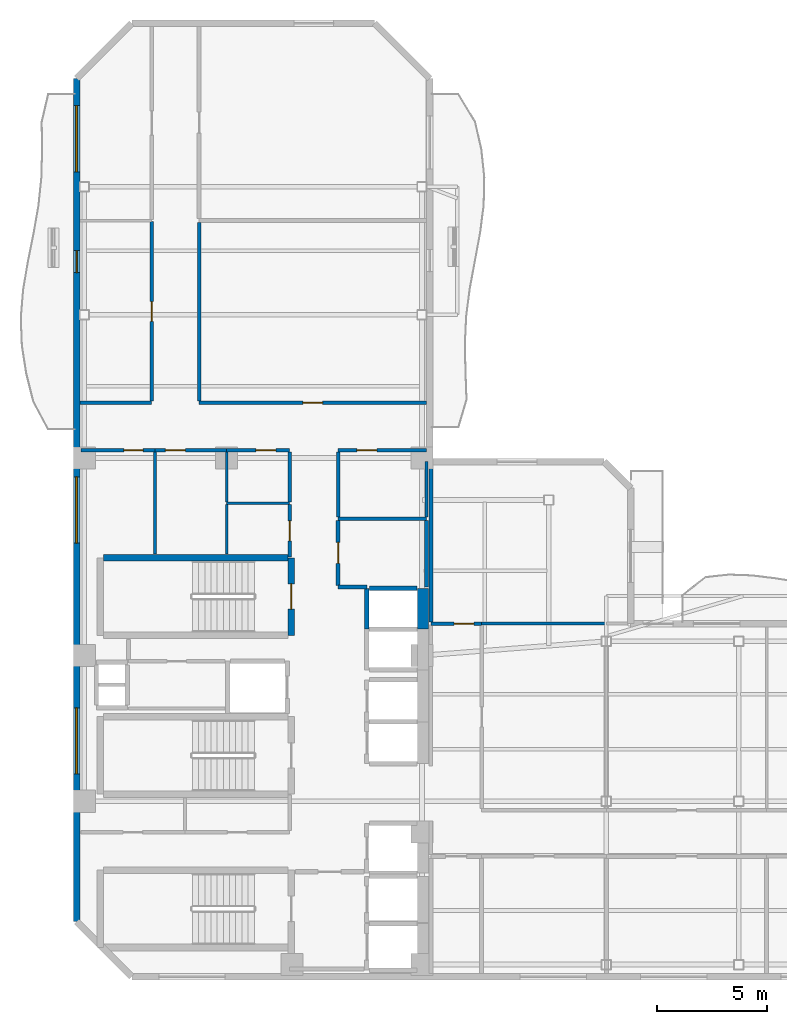
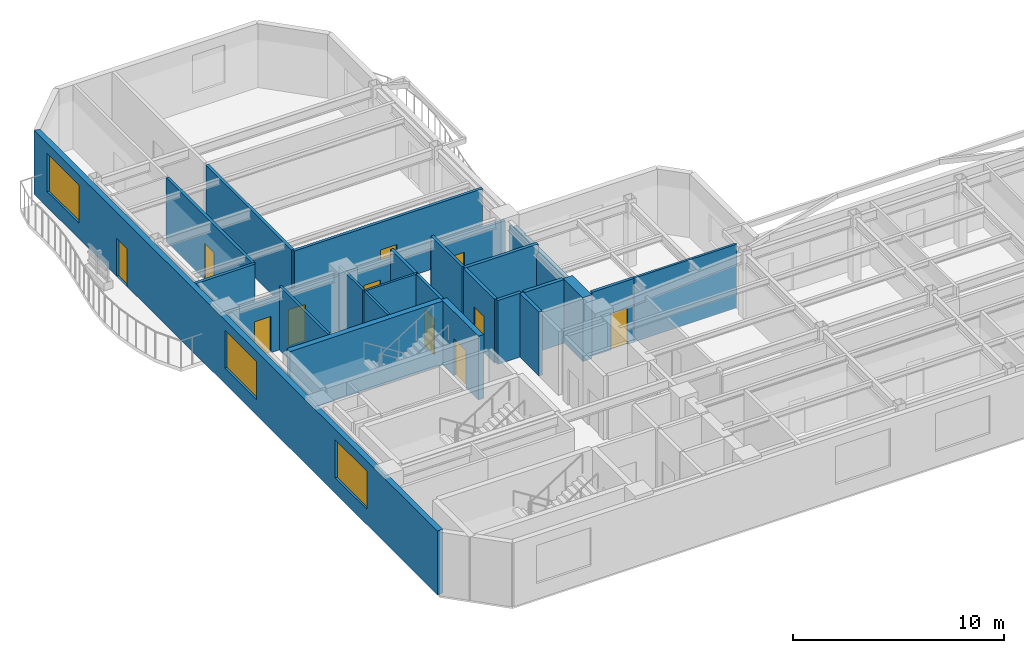
# One storey, part 4 of 9: 29 walls, 11 doors, 3 windows, 14 openings.
"""IFC4 building model written with IfcOpenShell, lengths in metres."""

from ifc_helpers import new_model, si_unit, direction, frame, frame_2d, origin, place, context, subcontext, project, spatial, rectangle, extrude, material, layer, layer_set, type_object, element, fill, save


model = new_model("IFC4")

# Units and contexts
model_context = context("Model", 3, precision=1e-05, world=origin(), true_north=direction((0.0, 1.0)))
body_context = subcontext(model_context, "Body", "Model", "MODEL_VIEW")
ifc_project = project(units=[si_unit("LENGTHUNIT", "METRE"), si_unit("AREAUNIT", "SQUARE_METRE"), si_unit("VOLUMEUNIT", "CUBIC_METRE"), si_unit("PLANEANGLEUNIT", "RADIAN"), si_unit("MASSUNIT", "GRAM", prefix="KILO")], contexts=[model_context])

# Site, building, storey
site_placement = place(None, origin())
site = spatial("IfcSite", under=ifc_project, at=site_placement, CompositionType="ELEMENT")
building_placement = place(site_placement, origin())
building = spatial("IfcBuilding", under=site, at=building_placement, Name="Mawjaban Terraces University", CompositionType="ELEMENT")
storey_placement = place(building_placement, frame((0.0, 0.0, 195.300048828125)))
storey = spatial("IfcBuildingStorey", under=building, at=storey_placement, Name="L47", CompositionType="ELEMENT", Elevation=195.300048828125)

# Walls
ifc_material_1 = material(Name="Acoustic masonry blockwork", Category="masonry")
ifc_layer_1 = layer(ifc_material_1, 0.179931640625)
ifc_layer_set_1 = layer_set([ifc_layer_1], Name="Acoustic masonry blockwork")
wall_type_1 = type_object("IfcWallType", Name="AcousticStudioWall_180", PredefinedType="PARTITIONING", material=ifc_layer_set_1)
wall_1_placement = place(storey_placement, frame((33.85009765625, 17.64990234375, 0.0), z_axis=(0.0, 0.0, 1.0), x_axis=(1.0, 0.0, 0.0)))
element("IfcWall", 1, at=wall_1_placement, inside=storey, type_object=wall_type_1, Name="L47 Graduate Research Collaboration Studio Partition 12", PredefinedType="PARTITIONING", context=body_context, shape_type="SweptSolid", body=[
    extrude(rectangle(XDim=1.2998046875, YDim=0.179931640625, at=frame_2d((0.64990234375, 0.0))), origin(), (0.0, 0.0, 1.0), 3.68994140625),
])
wall_2_placement = place(storey_placement, frame((37.85009765625, 20.75, 0.0), z_axis=(0.0, 0.0, 1.0), x_axis=(-1.0, 0.0, 0.0)))
element("IfcWall", 2, at=wall_2_placement, inside=storey, type_object=wall_type_1, Name="L47 Graduate Research Collaboration Studio Partition 14", PredefinedType="PARTITIONING", context=body_context, shape_type="SweptSolid", body=[
    extrude(rectangle(XDim=4.0, YDim=0.179931640625, at=frame_2d((2.0, 0.0))), origin(), (0.0, 0.0, 1.0), 3.68994140625),
])

# Wall, opening, door
wall_3_placement = place(storey_placement, frame((33.85009765625, 17.735107421875, 0.0), z_axis=(0.0, 0.0, 1.0), x_axis=(0.0, 1.0, 0.0)))
wall_3 = element("IfcWall", 3, at=wall_3_placement, inside=storey, type_object=wall_type_1, Name="L47 Core North Lift Lobby Partition 42", PredefinedType="PARTITIONING", context=body_context, shape_type="SweptSolid", body=[
    extrude(rectangle(XDim=2.929931640625, YDim=0.179931640625, at=frame_2d((1.46484375, 0.0))), origin(), (0.0, 0.0, 1.0), 3.68994140625),
])
opening_1_placement = place(wall_3_placement, frame((0.989990234375, 0.0, 0.0)))
opening_1 = element("IfcOpeningElement", 4, at=opening_1_placement, cuts=wall_3, Name="Opening ID-095", PredefinedType="OPENING", context=body_context, shape_type="SweptSolid", body=[
    extrude(rectangle(XDim=0.949951171875, YDim=2.10009765625, at=frame_2d((0.47509765625, 1.050048828125))), frame((0.0, 0.099853515625, 0.0), z_axis=(0.0, -1.0, 0.0), x_axis=(1.0, 0.0, 0.0)), (0.0, 0.0, 1.0), 0.199951171875),
])
ifc_material_2 = material(Name="Powder-coated steel frame and solid acoustic timber leaf", Category="steel")
door_type_1 = type_object("IfcDoorType", Name="StudioDoor_950x2100", OperationType="NOTDEFINED", PredefinedType="DOOR", material=ifc_material_2)
door_1_placement = place(opening_1_placement, origin())
door_1 = element("IfcDoor", 5, at=door_1_placement, inside=storey, type_object=door_type_1, Name="L47 Graduate Research Collaboration Studio Door", OperationType="SINGLE_SWING_RIGHT", OverallHeight=2.10009765625, OverallWidth=0.949951171875, PredefinedType="DOOR", context=body_context, shape_type="SweptSolid", body=[
    extrude(rectangle(XDim=0.949951171875, YDim=2.10009765625, at=frame_2d((0.47509765625, 1.050048828125))), frame((0.0, 0.02490234375, 0.0), z_axis=(0.0, -1.0, 0.0), x_axis=(1.0, 0.0, 0.0)), (0.0, 0.0, 1.0), 0.050048828125),
])
fill(opening_1, door_1)

# Walls
wall_4_placement = place(storey_placement, frame((37.85009765625, 17.64990234375, 0.0), z_axis=(0.0, 0.0, 1.0), x_axis=(0.0, 1.0, 0.0)))
element("IfcWall", 6, at=wall_4_placement, inside=storey, type_object=wall_type_1, Name="L47 Graduate Research Collaboration Studio Partition 44", PredefinedType="PARTITIONING", context=body_context, shape_type="SweptSolid", body=[
    extrude(rectangle(XDim=3.01513671875, YDim=0.179931640625, at=frame_2d((1.507568359375, 0.0))), origin(), (0.0, 0.0, 1.0), 3.14599609375),
])
wall_5_placement = place(storey_placement, frame((38.050048828125, 23.18994140625, 0.0), z_axis=(0.0, 0.0, 1.0), x_axis=(0.0, -1.0, 0.0)))
element("IfcWall", 7, at=wall_5_placement, inside=storey, type_object=wall_type_1, Name="L47 Terrace Collaborative Study Room Partition 49", PredefinedType="PARTITIONING", context=body_context, shape_type="SweptSolid", body=[
    extrude(rectangle(XDim=7.114990234375, YDim=0.179931640625, at=frame_2d((3.5576171875, 0.0))), origin(), (0.0, 0.0, 1.0), 3.14599609375),
])
ifc_material_3 = material(Name="Concrete C60/75", Category="concrete")
ifc_layer_2 = layer(ifc_material_3, 0.5)
ifc_layer_set_2 = layer_set([ifc_layer_2], Name="Concrete C60/75")
wall_type_2 = type_object("IfcWallType", Name="CoreShearWall_500", PredefinedType="SHEAR", material=ifc_layer_set_2)
wall_6_placement = place(storey_placement, frame((37.699951171875, 15.75, 0.0), z_axis=(0.0, 0.0, 1.0), x_axis=(0.0, 1.0, 0.0)))
element("IfcWall", 8, at=wall_6_placement, inside=storey, type_object=wall_type_2, Name="L47 Lift OL-2 Hoistway Wall East", PredefinedType="SHEAR", context=body_context, shape_type="SweptSolid", body=[
    extrude(rectangle(XDim=1.85009765625, YDim=0.5, at=frame_2d((0.925048828125, 0.0))), origin(), (0.0, 0.0, 1.0), 3.68994140625),
])
ifc_material_4 = material(Name="Fire-rated gypsum board on steel stud", Category="steel")
ifc_layer_3 = layer(ifc_material_4, 0.159912109375)
ifc_layer_set_3 = layer_set([ifc_layer_3], Name="Fire-rated gypsum board on steel stud")
wall_type_3 = type_object("IfcWallType", Name="CorridorPartition_160", PredefinedType="PARTITIONING", material=ifc_layer_set_3)
wall_7_placement = place(storey_placement, frame((25.39990234375, 26.0, 0.0), z_axis=(0.0, 0.0, 1.0), x_axis=(-1.0, 0.0, 0.0)))
element("IfcWall", 9, at=wall_7_placement, inside=storey, type_object=wall_type_3, Name="L47 North Core Cross-Corridor Partition 3", PredefinedType="PARTITIONING", context=body_context, shape_type="SweptSolid", body=[
    extrude(rectangle(XDim=3.2548828125, YDim=0.159912109375, at=frame_2d((1.62744140625, 0.0))), origin(), (0.0, 0.0, 1.0), 3.68994140625),
])

# Wall, opening, door
wall_8_placement = place(storey_placement, frame((25.550048828125, 23.85009765625, 0.0), z_axis=(0.0, 0.0, 1.0), x_axis=(-1.0, 0.0, 0.0)))
wall_8 = element("IfcWall", 10, at=wall_8_placement, inside=storey, type_object=wall_type_3, Name="L47 Female Toilet Partition 5", PredefinedType="PARTITIONING", context=body_context, shape_type="SweptSolid", body=[
    extrude(rectangle(XDim=3.35009765625, YDim=0.159912109375, at=frame_2d((1.675048828125, 0.0))), origin(), (0.0, 0.0, 1.0), 3.14599609375),
])
opening_2_placement = place(wall_8_placement, frame((0.534912109375, 0.0, 0.0)))
opening_2 = element("IfcOpeningElement", 11, at=opening_2_placement, cuts=wall_8, Name="Opening ID-088", PredefinedType="OPENING", context=body_context, shape_type="SweptSolid", body=[
    extrude(rectangle(XDim=0.8798828125, YDim=2.10009765625, at=frame_2d((0.43994140625, 1.050048828125))), frame((0.0, 0.08984375, 0.0), z_axis=(0.0, -1.0, 0.0), x_axis=(1.0, 0.0, 0.0)), (0.0, 0.0, 1.0), 0.179931640625),
])
door_type_2 = type_object("IfcDoorType", Name="ToiletDoor_880x2100", OperationType="NOTDEFINED", PredefinedType="DOOR", material=ifc_material_2)
door_2_placement = place(opening_2_placement, origin())
door_2 = element("IfcDoor", 12, at=door_2_placement, inside=storey, type_object=door_type_2, Name="L47 Female Toilet Door", OperationType="SINGLE_SWING_LEFT", OverallHeight=2.10009765625, OverallWidth=0.8798828125, PredefinedType="DOOR", context=body_context, shape_type="SweptSolid", body=[
    extrude(rectangle(XDim=0.8798828125, YDim=2.10009765625, at=frame_2d((0.43994140625, 1.050048828125))), frame((0.0, 0.02490234375, 0.0), z_axis=(0.0, -1.0, 0.0), x_axis=(1.0, 0.0, 0.0)), (0.0, 0.0, 1.0), 0.050048828125),
])
fill(opening_2, door_2)

wall_9_placement = place(storey_placement, frame((28.800048828125, 23.85009765625, 0.0), z_axis=(0.0, 0.0, 1.0), x_axis=(-1.0, 0.0, 0.0)))
wall_9 = element("IfcWall", 13, at=wall_9_placement, inside=storey, type_object=wall_type_3, Name="L47 Staff Tea Pantry Partition 7", PredefinedType="PARTITIONING", context=body_context, shape_type="SweptSolid", body=[
    extrude(rectangle(XDim=3.25, YDim=0.159912109375, at=frame_2d((1.625, 0.0))), origin(), (0.0, 0.0, 1.0), 3.14599609375),
])
opening_3_placement = place(wall_9_placement, frame((1.875, 0.0, 0.0)))
opening_3 = element("IfcOpeningElement", 14, at=opening_3_placement, cuts=wall_9, Name="Opening ID-090", PredefinedType="OPENING", context=body_context, shape_type="SweptSolid", body=[
    extrude(rectangle(XDim=0.89990234375, YDim=2.10009765625, at=frame_2d((0.449951171875, 1.050048828125))), frame((0.0, 0.08984375, 0.0), z_axis=(0.0, -1.0, 0.0), x_axis=(1.0, 0.0, 0.0)), (0.0, 0.0, 1.0), 0.179931640625),
])
door_type_3 = type_object("IfcDoorType", Name="OfficeDoor_900x2100", OperationType="NOTDEFINED", PredefinedType="DOOR", material=ifc_material_2)
door_3_placement = place(opening_3_placement, origin())
door_3 = element("IfcDoor", 15, at=door_3_placement, inside=storey, type_object=door_type_3, Name="L47 Staff Tea Pantry Door", OperationType="SINGLE_SWING_RIGHT", OverallHeight=2.10009765625, OverallWidth=0.89990234375, PredefinedType="DOOR", context=body_context, shape_type="SweptSolid", body=[
    extrude(rectangle(XDim=0.89990234375, YDim=2.10009765625, at=frame_2d((0.449951171875, 1.050048828125))), frame((0.0, 0.02490234375, 0.0), z_axis=(0.0, -1.0, 0.0), x_axis=(1.0, 0.0, 0.0)), (0.0, 0.0, 1.0), 0.050048828125),
])
fill(opening_3, door_3)

wall_10_placement = place(storey_placement, frame((31.64990234375, 23.85009765625, 0.0), z_axis=(0.0, 0.0, 1.0), x_axis=(-1.0, 0.0, 0.0)))
wall_10 = element("IfcWall", 16, at=wall_10_placement, inside=storey, type_object=wall_type_3, Name="L47 Faculty Consultation Alcove Partition 11", PredefinedType="PARTITIONING", context=body_context, shape_type="SweptSolid", body=[
    extrude(rectangle(XDim=2.849853515625, YDim=0.159912109375, at=frame_2d((1.4248046875, 0.0))), origin(), (0.0, 0.0, 1.0), 3.14599609375),
])
opening_4_placement = place(wall_10_placement, frame((0.625, 0.0, 0.0)))
opening_4 = element("IfcOpeningElement", 17, at=opening_4_placement, cuts=wall_10, Name="Opening ID-090", PredefinedType="OPENING", context=body_context, shape_type="SweptSolid", body=[
    extrude(rectangle(XDim=0.89990234375, YDim=2.10009765625, at=frame_2d((0.449951171875, 1.050048828125))), frame((0.0, 0.08984375, 0.0), z_axis=(0.0, -1.0, 0.0), x_axis=(1.0, 0.0, 0.0)), (0.0, 0.0, 1.0), 0.179931640625),
])
door_4_placement = place(opening_4_placement, origin())
door_4 = element("IfcDoor", 18, at=door_4_placement, inside=storey, type_object=door_type_3, Name="L47 Faculty Consultation Alcove Door", OperationType="SINGLE_SWING_LEFT", OverallHeight=2.10009765625, OverallWidth=0.89990234375, PredefinedType="DOOR", context=body_context, shape_type="SweptSolid", body=[
    extrude(rectangle(XDim=0.89990234375, YDim=2.10009765625, at=frame_2d((0.449951171875, 1.050048828125))), frame((0.0, 0.02490234375, 0.0), z_axis=(0.0, -1.0, 0.0), x_axis=(1.0, 0.0, 0.0)), (0.0, 0.0, 1.0), 0.050048828125),
])
fill(opening_4, door_4)

wall_11_placement = place(storey_placement, frame((37.85009765625, 23.85009765625, 0.0), z_axis=(0.0, 0.0, 1.0), x_axis=(-1.0, 0.0, 0.0)))
wall_11 = element("IfcWall", 19, at=wall_11_placement, inside=storey, type_object=wall_type_3, Name="L47 Departmental Copy and Archive Room Partition 15", PredefinedType="PARTITIONING", context=body_context, shape_type="SweptSolid", body=[
    extrude(rectangle(XDim=4.0, YDim=0.159912109375, at=frame_2d((2.0, 0.0))), origin(), (0.0, 0.0, 1.0), 3.14599609375),
])
opening_5_placement = place(wall_11_placement, frame((2.25, 0.0, 0.0)))
opening_5 = element("IfcOpeningElement", 20, at=opening_5_placement, cuts=wall_11, Name="Opening ID-090", PredefinedType="OPENING", context=body_context, shape_type="SweptSolid", body=[
    extrude(rectangle(XDim=0.89990234375, YDim=2.10009765625, at=frame_2d((0.449951171875, 1.050048828125))), frame((0.0, 0.08984375, 0.0), z_axis=(0.0, -1.0, 0.0), x_axis=(1.0, 0.0, 0.0)), (0.0, 0.0, 1.0), 0.179931640625),
])
door_5_placement = place(opening_5_placement, origin())
door_5 = element("IfcDoor", 21, at=door_5_placement, inside=storey, type_object=door_type_3, Name="L47 Departmental Copy and Archive Room Door", OperationType="SINGLE_SWING_LEFT", OverallHeight=2.10009765625, OverallWidth=0.89990234375, PredefinedType="DOOR", context=body_context, shape_type="SweptSolid", body=[
    extrude(rectangle(XDim=0.89990234375, YDim=2.10009765625, at=frame_2d((0.449951171875, 1.050048828125))), frame((0.0, 0.02490234375, 0.0), z_axis=(0.0, -1.0, 0.0), x_axis=(1.0, 0.0, 0.0)), (0.0, 0.0, 1.0), 0.050048828125),
])
fill(opening_5, door_5)

wall_12_placement = place(storey_placement, frame((37.85009765625, 26.0, 0.0), z_axis=(0.0, 0.0, 1.0), x_axis=(-1.0, 0.0, 0.0)))
wall_12 = element("IfcWall", 22, at=wall_12_placement, inside=storey, type_object=wall_type_3, Name="L47 North Core Cross-Corridor Partition 16", PredefinedType="PARTITIONING", context=body_context, shape_type="SweptSolid", body=[
    extrude(rectangle(XDim=10.300048828125, YDim=0.159912109375, at=frame_2d((5.14990234375, 0.0))), origin(), (0.0, 0.0, 1.0), 3.68994140625),
])
opening_6_placement = place(wall_12_placement, frame((4.699951171875, 0.0, 0.0)))
opening_6 = element("IfcOpeningElement", 23, at=opening_6_placement, cuts=wall_12, Name="Opening ID-090", PredefinedType="OPENING", context=body_context, shape_type="SweptSolid", body=[
    extrude(rectangle(XDim=0.89990234375, YDim=2.10009765625, at=frame_2d((0.449951171875, 1.050048828125))), frame((0.0, 0.08984375, 0.0), z_axis=(0.0, -1.0, 0.0), x_axis=(1.0, 0.0, 0.0)), (0.0, 0.0, 1.0), 0.179931640625),
])
door_6_placement = place(opening_6_placement, origin())
door_6 = element("IfcDoor", 24, at=door_6_placement, inside=storey, type_object=door_type_3, Name="L47 Faculty Office 11 Door", OperationType="SINGLE_SWING_LEFT", OverallHeight=2.10009765625, OverallWidth=0.89990234375, PredefinedType="DOOR", context=body_context, shape_type="SweptSolid", body=[
    extrude(rectangle(XDim=0.89990234375, YDim=2.10009765625, at=frame_2d((0.449951171875, 1.050048828125))), frame((0.0, 0.02490234375, 0.0), z_axis=(0.0, -1.0, 0.0), x_axis=(1.0, 0.0, 0.0)), (0.0, 0.0, 1.0), 0.050048828125),
])
fill(opening_6, door_6)

wall_13_placement = place(storey_placement, frame((40.35009765625, 16.0, 0.0), z_axis=(0.0, 0.0, 1.0), x_axis=(-1.0, 0.0, 0.0)))
wall_13 = element("IfcWall", 25, at=wall_13_placement, inside=storey, type_object=wall_type_3, Name="L47 South Spine Spur Link Partition 20", PredefinedType="PARTITIONING", context=body_context, shape_type="SweptSolid", body=[
    extrude(rectangle(XDim=2.300048828125, YDim=0.159912109375, at=frame_2d((1.14990234375, 0.0))), origin(), (0.0, 0.0, 1.0), 3.68994140625),
])
opening_7_placement = place(wall_13_placement, frame((0.35009765625, 0.0, 0.0)))
opening_7 = element("IfcOpeningElement", 26, at=opening_7_placement, cuts=wall_13, Name="Opening ID-090", PredefinedType="OPENING", context=body_context, shape_type="SweptSolid", body=[
    extrude(rectangle(XDim=0.89990234375, YDim=2.10009765625, at=frame_2d((0.449951171875, 1.050048828125))), frame((0.0, 0.08984375, 0.0), z_axis=(0.0, -1.0, 0.0), x_axis=(1.0, 0.0, 0.0)), (0.0, 0.0, 1.0), 0.179931640625),
])
door_7_placement = place(opening_7_placement, origin())
door_7 = element("IfcDoor", 27, at=door_7_placement, inside=storey, type_object=door_type_3, Name="L47 Terrace Collaborative Study Room Door", OperationType="SINGLE_SWING_RIGHT", OverallHeight=2.10009765625, OverallWidth=0.89990234375, PredefinedType="DOOR", context=body_context, shape_type="SweptSolid", body=[
    extrude(rectangle(XDim=0.89990234375, YDim=2.10009765625, at=frame_2d((0.449951171875, 1.050048828125))), frame((0.0, 0.02490234375, 0.0), z_axis=(0.0, -1.0, 0.0), x_axis=(1.0, 0.0, 0.0)), (0.0, 0.0, 1.0), 0.050048828125),
])
fill(opening_7, door_7)

wall_14_placement = place(storey_placement, frame((25.39990234375, 34.2099609375, 0.0), z_axis=(0.0, 0.0, 1.0), x_axis=(0.0, -1.0, 0.0)))
wall_14 = element("IfcWall", 28, at=wall_14_placement, inside=storey, type_object=wall_type_3, Name="L47 West Shifted Academic Corridor Partition 31", PredefinedType="PARTITIONING", context=body_context, shape_type="SweptSolid", body=[
    extrude(rectangle(XDim=8.135009765625, YDim=0.159912109375, at=frame_2d((4.0673828125, 0.0))), origin(), (0.0, 0.0, 1.0), 3.68994140625),
])
opening_8_placement = place(wall_14_placement, frame((3.617919921875, 0.0, 0.0)))
opening_8 = element("IfcOpeningElement", 29, at=opening_8_placement, cuts=wall_14, Name="Opening ID-090", PredefinedType="OPENING", context=body_context, shape_type="SweptSolid", body=[
    extrude(rectangle(XDim=0.89990234375, YDim=2.10009765625, at=frame_2d((0.449951171875, 1.050048828125))), frame((0.0, 0.08984375, 0.0), z_axis=(0.0, -1.0, 0.0), x_axis=(1.0, 0.0, 0.0)), (0.0, 0.0, 1.0), 0.179931640625),
])
door_8_placement = place(opening_8_placement, origin())
door_8 = element("IfcDoor", 30, at=door_8_placement, inside=storey, type_object=door_type_3, Name="L47 Seminar Room 10 Door", OperationType="SINGLE_SWING_RIGHT", OverallHeight=2.10009765625, OverallWidth=0.89990234375, PredefinedType="DOOR", context=body_context, shape_type="SweptSolid", body=[
    extrude(rectangle(XDim=0.89990234375, YDim=2.10009765625, at=frame_2d((0.449951171875, 1.050048828125))), frame((0.0, 0.02490234375, 0.0), z_axis=(0.0, -1.0, 0.0), x_axis=(1.0, 0.0, 0.0)), (0.0, 0.0, 1.0), 0.050048828125),
])
fill(opening_8, door_8)

# Wall
wall_15_placement = place(storey_placement, frame((27.550048828125, 26.074951171875, 0.0), z_axis=(0.0, 0.0, 1.0), x_axis=(0.0, 1.0, 0.0)))
element("IfcWall", 31, at=wall_15_placement, inside=storey, type_object=wall_type_3, Name="L47 West Shifted Academic Corridor Partition 35", PredefinedType="PARTITIONING", context=body_context, shape_type="SweptSolid", body=[
    extrude(rectangle(XDim=8.10009765625, YDim=0.159912109375, at=frame_2d((4.050048828125, 0.0))), origin(), (0.0, 0.0, 1.0), 3.68994140625),
])

# Wall, opening, door
wall_16_placement = place(storey_placement, frame((31.64990234375, 19.010009765625, 0.0), z_axis=(0.0, 0.0, 1.0), x_axis=(0.0, 1.0, 0.0)))
wall_16 = element("IfcWall", 32, at=wall_16_placement, inside=storey, type_object=wall_type_3, Name="L47 Faculty Academic Resource Office Partition 40", PredefinedType="PARTITIONING", context=body_context, shape_type="SweptSolid", body=[
    extrude(rectangle(XDim=2.382080078125, YDim=0.159912109375, at=frame_2d((1.19091796875, 0.0))), origin(), (0.0, 0.0, 1.0), 3.68994140625),
])
opening_9_placement = place(wall_16_placement, frame((0.740966796875, 0.0, 0.0)))
opening_9 = element("IfcOpeningElement", 33, at=opening_9_placement, cuts=wall_16, Name="Opening ID-090", PredefinedType="OPENING", context=body_context, shape_type="SweptSolid", body=[
    extrude(rectangle(XDim=0.89990234375, YDim=2.10009765625, at=frame_2d((0.449951171875, 1.050048828125))), frame((0.0, 0.08984375, 0.0), z_axis=(0.0, -1.0, 0.0), x_axis=(1.0, 0.0, 0.0)), (0.0, 0.0, 1.0), 0.179931640625),
])
door_9_placement = place(opening_9_placement, origin())
door_9 = element("IfcDoor", 34, at=door_9_placement, inside=storey, type_object=door_type_3, Name="L47 Faculty Academic Resource Office Door", OperationType="SINGLE_SWING_RIGHT", OverallHeight=2.10009765625, OverallWidth=0.89990234375, PredefinedType="DOOR", context=body_context, shape_type="SweptSolid", body=[
    extrude(rectangle(XDim=0.89990234375, YDim=2.10009765625, at=frame_2d((0.449951171875, 1.050048828125))), frame((0.0, 0.02490234375, 0.0), z_axis=(0.0, -1.0, 0.0), x_axis=(1.0, 0.0, 0.0)), (0.0, 0.0, 1.0), 0.050048828125),
])
fill(opening_9, door_9)

# Walls
wall_17_placement = place(storey_placement, frame((31.64990234375, 23.77490234375, 0.0), z_axis=(0.0, 0.0, 1.0), x_axis=(0.0, -1.0, 0.0)))
element("IfcWall", 35, at=wall_17_placement, inside=storey, type_object=wall_type_3, Name="L47 Core North Lift Lobby Partition 41", PredefinedType="PARTITIONING", context=body_context, shape_type="SweptSolid", body=[
    extrude(rectangle(XDim=2.266845703125, YDim=0.159912109375, at=frame_2d((1.13330078125, 0.0))), origin(), (0.0, 0.0, 1.0), 3.68994140625),
])
wall_18_placement = place(storey_placement, frame((33.85009765625, 20.8349609375, 0.0), z_axis=(0.0, 0.0, 1.0), x_axis=(0.0, 1.0, 0.0)))
element("IfcWall", 36, at=wall_18_placement, inside=storey, type_object=wall_type_3, Name="L47 Core North Lift Lobby Partition 43", PredefinedType="PARTITIONING", context=body_context, shape_type="SweptSolid", body=[
    extrude(rectangle(XDim=2.93994140625, YDim=0.159912109375, at=frame_2d((1.469970703125, 0.0))), origin(), (0.0, 0.0, 1.0), 3.68994140625),
])

# Wall, openings, door, windows
ifc_material_5 = material(Name="Insulated terracotta rainscreen on concrete backup C40/50", Category="masonry")
ifc_layer_4 = layer(ifc_material_5, 0.300048828125)
ifc_layer_set_4 = layer_set([ifc_layer_4], Name="Insulated terracotta rainscreen on concrete backup C40/50")
wall_type_4 = type_object("IfcWallType", Name="ExtTerracottaWall_300", PredefinedType="SOLIDWALL", material=ifc_layer_set_4)
wall_19_placement = place(storey_placement, frame((22.0, 40.699951171875, 0.0), z_axis=(0.0, 0.0, 1.0), x_axis=(0.0, -1.0, 0.0)))
wall_19 = element("IfcWall", 37, at=wall_19_placement, inside=storey, type_object=wall_type_4, Name="L47 Exterior Terracotta Wall 13", PredefinedType="SOLIDWALL", context=body_context, shape_type="SweptSolid", body=[
    extrude(rectangle(XDim=38.199951171875, YDim=0.300048828125, at=frame_2d((19.10009765625, 0.0))), origin(), (0.0, 0.0, 1.0), 3.68994140625),
])
opening_10_placement = place(wall_19_placement, frame((7.800048828125, 0.0, 0.0)))
opening_10 = element("IfcOpeningElement", 38, at=opening_10_placement, cuts=wall_19, Name="Opening BD-100", PredefinedType="OPENING", context=body_context, shape_type="SweptSolid", body=[
    extrude(rectangle(XDim=1.0, YDim=2.199951171875, at=frame_2d((0.5, 1.10009765625))), frame((0.0, 0.159912109375, 0.0), z_axis=(0.0, -1.0, 0.0), x_axis=(1.0, 0.0, 0.0)), (0.0, 0.0, 1.0), 0.320068359375),
])
opening_11_placement = place(wall_19_placement, frame((1.22900390625, 0.0, 0.89990234375)))
opening_11 = element("IfcOpeningElement", 39, at=opening_11_placement, cuts=wall_19, Name="Opening W-12", PredefinedType="OPENING", context=body_context, shape_type="SweptSolid", body=[
    extrude(rectangle(XDim=3.0, YDim=2.199951171875, at=frame_2d((1.5, 1.10009765625))), frame((0.0, 0.159912109375, 0.0), z_axis=(0.0, -1.0, 0.0), x_axis=(1.0, 0.0, 0.0)), (0.0, 0.0, 1.0), 0.320068359375),
])
opening_12_placement = place(wall_19_placement, frame((18.050048828125, 0.0, 0.89990234375)))
opening_12 = element("IfcOpeningElement", 40, at=opening_12_placement, cuts=wall_19, Name="Opening W-12", PredefinedType="OPENING", context=body_context, shape_type="SweptSolid", body=[
    extrude(rectangle(XDim=3.0, YDim=2.199951171875, at=frame_2d((1.5, 1.10009765625))), frame((0.0, 0.159912109375, 0.0), z_axis=(0.0, -1.0, 0.0), x_axis=(1.0, 0.0, 0.0)), (0.0, 0.0, 1.0), 0.320068359375),
])
opening_13_placement = place(wall_19_placement, frame((28.513916015625, 0.0, 0.89990234375)))
opening_13 = element("IfcOpeningElement", 41, at=opening_13_placement, cuts=wall_19, Name="Opening W-12", PredefinedType="OPENING", context=body_context, shape_type="SweptSolid", body=[
    extrude(rectangle(XDim=3.0, YDim=2.199951171875, at=frame_2d((1.5, 1.10009765625))), frame((0.0, 0.159912109375, 0.0), z_axis=(0.0, -1.0, 0.0), x_axis=(1.0, 0.0, 0.0)), (0.0, 0.0, 1.0), 0.320068359375),
])
ifc_material_6 = material(Name="Thermally broken anodised aluminium and laminated safety glass", Category="aluminium")
door_type_4 = type_object("IfcDoorType", Name="BalconyGlazedDoor_1000x2200", OperationType="NOTDEFINED", PredefinedType="DOOR", material=ifc_material_6)
door_10_placement = place(opening_10_placement, origin())
door_10 = element("IfcDoor", 42, at=door_10_placement, inside=storey, type_object=door_type_4, Name="L47 Balcony Access Door west", OperationType="SINGLE_SWING_RIGHT", OverallHeight=2.199951171875, OverallWidth=1.0, PredefinedType="DOOR", context=body_context, shape_type="SweptSolid", body=[
    extrude(rectangle(XDim=1.0, YDim=2.199951171875, at=frame_2d((0.5, 1.10009765625))), frame((0.0, 0.02490234375, 0.0), z_axis=(0.0, -1.0, 0.0), x_axis=(1.0, 0.0, 0.0)), (0.0, 0.0, 1.0), 0.050048828125),
])
fill(opening_10, door_10)
ifc_material_7 = material(Name="Low-E solar-control double glazing in thermally broken aluminium frame", Category="aluminium")
window_type = type_object("IfcWindowType", Name="Win_3000x2200", PartitioningType="SINGLE_PANEL", PredefinedType="WINDOW", material=ifc_material_7)
window_1_placement = place(opening_11_placement, origin())
window_1 = element("IfcWindow", 43, at=window_1_placement, inside=storey, type_object=window_type, Name="L47 Facade Window 13.1", OverallHeight=2.199951171875, OverallWidth=3.0, PartitioningType="SINGLE_PANEL", PredefinedType="WINDOW", context=body_context, shape_type="SweptSolid", body=[
    extrude(rectangle(XDim=3.0, YDim=2.199951171875, at=frame_2d((1.5, 1.10009765625))), frame((0.0, 0.030029296875, 0.0), z_axis=(0.0, -1.0, 0.0), x_axis=(1.0, 0.0, 0.0)), (0.0, 0.0, 1.0), 0.06005859375),
])
fill(opening_11, window_1)
window_2_placement = place(opening_12_placement, origin())
window_2 = element("IfcWindow", 44, at=window_2_placement, inside=storey, type_object=window_type, Name="L47 Facade Window 13.4", OverallHeight=2.199951171875, OverallWidth=3.0, PartitioningType="SINGLE_PANEL", PredefinedType="WINDOW", context=body_context, shape_type="SweptSolid", body=[
    extrude(rectangle(XDim=3.0, YDim=2.199951171875, at=frame_2d((1.5, 1.10009765625))), frame((0.0, 0.030029296875, 0.0), z_axis=(0.0, -1.0, 0.0), x_axis=(1.0, 0.0, 0.0)), (0.0, 0.0, 1.0), 0.06005859375),
])
fill(opening_12, window_2)
window_3_placement = place(opening_13_placement, origin())
window_3 = element("IfcWindow", 45, at=window_3_placement, inside=storey, type_object=window_type, Name="L47 Facade Window 13.6", OverallHeight=2.199951171875, OverallWidth=3.0, PartitioningType="SINGLE_PANEL", PredefinedType="WINDOW", context=body_context, shape_type="SweptSolid", body=[
    extrude(rectangle(XDim=3.0, YDim=2.199951171875, at=frame_2d((1.5, 1.10009765625))), frame((0.0, 0.030029296875, 0.0), z_axis=(0.0, -1.0, 0.0), x_axis=(1.0, 0.0, 0.0)), (0.0, 0.0, 1.0), 0.06005859375),
])
fill(opening_13, window_3)

# Walls
ifc_material_8 = material(Name="Concrete C40/50", Category="concrete")
ifc_layer_5 = layer(ifc_material_8, 0.199951171875)
ifc_layer_set_5 = layer_set([ifc_layer_5], Name="Concrete C40/50")
wall_type_5 = type_object("IfcWallType", Name="FireLobbyWall_200", PredefinedType="SOLIDWALL", material=ifc_layer_set_5)
wall_20_placement = place(storey_placement, frame((35.14990234375, 17.60009765625, 0.0), z_axis=(0.0, 0.0, 1.0), x_axis=(0.0, -1.0, 0.0)))
element("IfcWall", 46, at=wall_20_placement, inside=storey, type_object=wall_type_5, Name="L47 Lift OL-2 Hoistway Wall West", PredefinedType="SOLIDWALL", context=body_context, shape_type="SweptSolid", body=[
    extrude(rectangle(XDim=1.85009765625, YDim=0.199951171875, at=frame_2d((0.925048828125, 0.0))), origin(), (0.0, 0.0, 1.0), 3.68994140625),
])
wall_21_placement = place(storey_placement, frame((37.419921875, 17.60009765625, 0.0), z_axis=(0.0, 0.0, 1.0), x_axis=(-1.0, 0.0, 0.0)))
element("IfcWall", 47, at=wall_21_placement, inside=storey, type_object=wall_type_5, Name="L47 Lift OL-2 Hoistway Wall North", PredefinedType="SOLIDWALL", context=body_context, shape_type="SweptSolid", body=[
    extrude(rectangle(XDim=2.139892578125, YDim=0.199951171875, at=frame_2d((1.06982421875, 0.0))), origin(), (0.0, 0.0, 1.0), 3.68994140625),
])
ifc_material_9 = material(Name="Gypsum plasterboard on steel stud", Category="steel")
ifc_layer_6 = layer(ifc_material_9, 0.125)
ifc_layer_set_6 = layer_set([ifc_layer_6], Name="Gypsum plasterboard on steel stud")
wall_type_6 = type_object("IfcWallType", Name="OfficePartition_125", PredefinedType="PARTITIONING", material=ifc_layer_set_6)
wall_22_placement = place(storey_placement, frame((31.64990234375, 21.449951171875, 0.0), z_axis=(0.0, 0.0, 1.0), x_axis=(-1.0, 0.0, 0.0)))
element("IfcWall", 48, at=wall_22_placement, inside=storey, type_object=wall_type_6, Name="L47 Faculty Academic Resource Office Partition 10", PredefinedType="PARTITIONING", context=body_context, shape_type="SweptSolid", body=[
    extrude(rectangle(XDim=2.849853515625, YDim=0.125, at=frame_2d((1.4248046875, 0.0))), origin(), (0.0, 0.0, 1.0), 3.68994140625),
])
wall_23_placement = place(storey_placement, frame((46.0, 16.0, 0.0), z_axis=(0.0, 0.0, 1.0), x_axis=(-1.0, 0.0, 0.0)))
element("IfcWall", 49, at=wall_23_placement, inside=storey, type_object=wall_type_6, Name="L47 Reading Salon 3 Partition 24", PredefinedType="PARTITIONING", context=body_context, shape_type="SweptSolid", body=[
    extrude(rectangle(XDim=5.64990234375, YDim=0.125, at=frame_2d((2.824951171875, 0.0))), origin(), (0.0, 0.0, 1.0), 3.68994140625),
])
wall_24_placement = place(storey_placement, frame((28.800048828125, 21.39208984375, 0.0), z_axis=(0.0, 0.0, 1.0), x_axis=(0.0, -1.0, 0.0)))
element("IfcWall", 50, at=wall_24_placement, inside=storey, type_object=wall_type_6, Name="L47 Faculty Academic Resource Office Partition 37", PredefinedType="PARTITIONING", context=body_context, shape_type="SweptSolid", body=[
    extrude(rectangle(XDim=2.232177734375, YDim=0.125, at=frame_2d((1.1162109375, 0.0))), origin(), (0.0, 0.0, 1.0), 3.68994140625),
])
wall_25_placement = place(storey_placement, frame((28.800048828125, 23.77490234375, 0.0), z_axis=(0.0, 0.0, 1.0), x_axis=(0.0, -1.0, 0.0)))
element("IfcWall", 51, at=wall_25_placement, inside=storey, type_object=wall_type_6, Name="L47 Faculty Consultation Alcove Partition 38", PredefinedType="PARTITIONING", context=body_context, shape_type="SweptSolid", body=[
    extrude(rectangle(XDim=2.266845703125, YDim=0.125, at=frame_2d((1.13330078125, 0.0))), origin(), (0.0, 0.0, 1.0), 3.68994140625),
])
wall_26_placement = place(storey_placement, frame((37.85009765625, 20.8349609375, 0.0), z_axis=(0.0, 0.0, 1.0), x_axis=(0.0, 1.0, 0.0)))
element("IfcWall", 52, at=wall_26_placement, inside=storey, type_object=wall_type_6, Name="L47 Departmental Copy and Archive Room Partition 45", PredefinedType="PARTITIONING", context=body_context, shape_type="SweptSolid", body=[
    extrude(rectangle(XDim=2.5, YDim=0.125, at=frame_2d((1.25, 0.0))), origin(), (0.0, 0.0, 1.0), 3.14599609375),
])
ifc_layer_7 = layer(ifc_material_3, 0.300048828125)
ifc_layer_set_7 = layer_set([ifc_layer_7], Name="Concrete C60/75")
wall_type_7 = type_object("IfcWallType", Name="StairShaftWall_300", PredefinedType="SHEAR", material=ifc_layer_set_7)
wall_27_placement = place(storey_placement, frame((31.580078125, 18.97998046875, 0.0), z_axis=(0.0, 0.0, 1.0), x_axis=(-1.0, 0.0, 0.0)))
element("IfcWall", 53, at=wall_27_placement, inside=storey, type_object=wall_type_7, Name="L47 ST-2 Stair Shaft Wall 1", PredefinedType="SHEAR", context=body_context, shape_type="SweptSolid", body=[
    extrude(rectangle(XDim=8.360107421875, YDim=0.300048828125, at=frame_2d((4.18017578125, 0.0))), origin(), (0.0, 0.0, 1.0), 3.68994140625),
])

# Wall, opening, door
wall_28_placement = place(storey_placement, frame((31.72998046875, 15.469970703125, 0.0), z_axis=(0.0, 0.0, 1.0), x_axis=(0.0, 1.0, 0.0)))
wall_28 = element("IfcWall", 54, at=wall_28_placement, inside=storey, type_object=wall_type_7, Name="L47 ST-2 Stair Shaft Wall 4", PredefinedType="SHEAR", context=body_context, shape_type="SweptSolid", body=[
    extrude(rectangle(XDim=3.510009765625, YDim=0.300048828125, at=frame_2d((1.7548828125, 0.0))), origin(), (0.0, 0.0, 1.0), 3.68994140625),
])
opening_14_placement = place(wall_28_placement, frame((1.179931640625, 0.0, 0.0)))
opening_14 = element("IfcOpeningElement", 55, at=opening_14_placement, cuts=wall_28, Name="Opening FD-115", PredefinedType="OPENING", context=body_context, shape_type="SweptSolid", body=[
    extrude(rectangle(XDim=1.14990234375, YDim=2.14990234375, at=frame_2d((0.574951171875, 1.074951171875))), frame((0.0, 0.159912109375, 0.0), z_axis=(0.0, -1.0, 0.0), x_axis=(1.0, 0.0, 0.0)), (0.0, 0.0, 1.0), 0.320068359375),
])
ifc_material_10 = material(Name="Powder-coated steel frame and fire-rated steel-faced leaf", Category="steel")
door_type_5 = type_object("IfcDoorType", Name="FireStairDoor_1150x2150", OperationType="NOTDEFINED", PredefinedType="DOOR", material=ifc_material_10)
door_11_placement = place(opening_14_placement, origin())
door_11 = element("IfcDoor", 56, at=door_11_placement, inside=storey, type_object=door_type_5, Name="L47 ST-2 Pressurised Stair Fire Door", OperationType="SINGLE_SWING_LEFT", OverallHeight=2.14990234375, OverallWidth=1.14990234375, PredefinedType="DOOR", context=body_context, shape_type="SweptSolid", body=[
    extrude(rectangle(XDim=1.14990234375, YDim=2.14990234375, at=frame_2d((0.574951171875, 1.074951171875))), frame((0.0, 0.02490234375, 0.0), z_axis=(0.0, -1.0, 0.0), x_axis=(1.0, 0.0, 0.0)), (0.0, 0.0, 1.0), 0.050048828125),
])
fill(opening_14, door_11)

# Wall
ifc_material_11 = material(Name="Cement-board wet-room partition", Category="masonry")
ifc_layer_8 = layer(ifc_material_11, 0.135009765625)
ifc_layer_set_8 = layer_set([ifc_layer_8], Name="Cement-board wet-room partition")
wall_type_8 = type_object("IfcWallType", Name="WetRoomPartition_135", PredefinedType="PARTITIONING", material=ifc_layer_set_8)
wall_29_placement = place(storey_placement, frame((25.550048828125, 19.159912109375, 0.0), z_axis=(0.0, 0.0, 1.0), x_axis=(0.0, 1.0, 0.0)))
element("IfcWall", 57, at=wall_29_placement, inside=storey, type_object=wall_type_8, Name="L47 Female Toilet Partition 33", PredefinedType="PARTITIONING", context=body_context, shape_type="SweptSolid", body=[
    extrude(rectangle(XDim=4.614990234375, YDim=0.135009765625, at=frame_2d((2.3076171875, 0.0))), origin(), (0.0, 0.0, 1.0), 3.68994140625),
])

save(model, "model.ifc")
